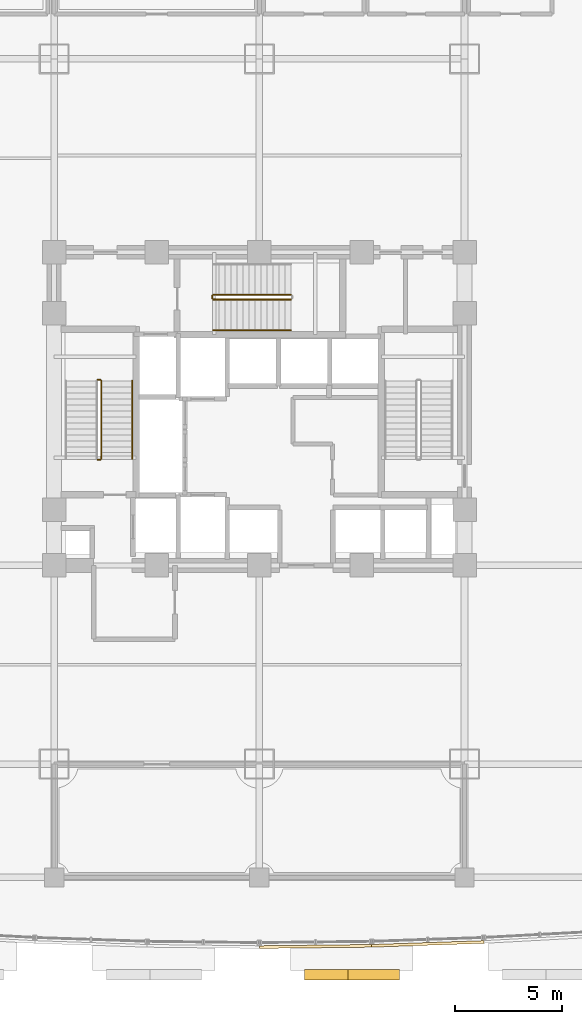
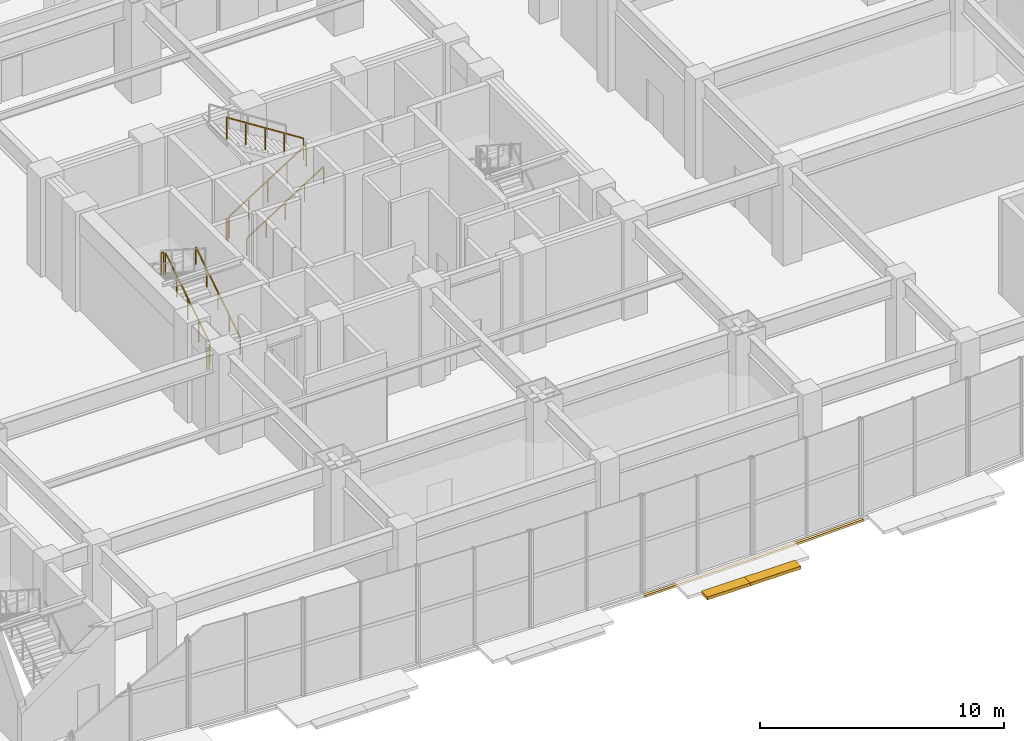
# One storey, part 18 of 24: 8 railings, 2 coverings, 2 shading devices.
"""IFC4 building model written with IfcOpenShell, lengths in metres."""

from ifc_helpers import new_model, si_unit, direction, frame, origin, origin_2d, place, context, subcontext, project, spatial, polyline, rectangle, outline, extrude, material, layer, layer_set, type_object, element, save


model = new_model("IFC4")

# Units and contexts
model_context = context("Model", 3, precision=1e-05, world=origin(), true_north=direction((0.0, 1.0)))
body_context = subcontext(model_context, "Body", "Model", "MODEL_VIEW")
ifc_project = project(units=[si_unit("LENGTHUNIT", "METRE"), si_unit("AREAUNIT", "SQUARE_METRE"), si_unit("VOLUMEUNIT", "CUBIC_METRE"), si_unit("PLANEANGLEUNIT", "RADIAN"), si_unit("MASSUNIT", "GRAM", prefix="KILO")], contexts=[model_context])

# Site, building, storey
site_placement = place(None, origin())
site = spatial("IfcSite", under=ifc_project, at=site_placement, CompositionType="ELEMENT")
building_placement = place(site_placement, origin())
building = spatial("IfcBuilding", under=site, at=building_placement, Name="Vantalir Tower", CompositionType="ELEMENT")
storey_placement = place(building_placement, frame((0.0, 0.0, 6.0)))
storey = spatial("IfcBuildingStorey", under=building, at=storey_placement, Name="L01", CompositionType="ELEMENT", Elevation=6.0)

# Coverings
ifc_material_1 = material(Name="Anodised champagne aluminium sill fascia", Category="aluminium")
ifc_layer_1 = layer(ifc_material_1, 0.125)
ifc_layer_set_1 = layer_set([ifc_layer_1], Name="Anodised champagne aluminium sill fascia")
covering_type = type_object("IfcCoveringType", Name="COV-SLAB-FASCIA-125", PredefinedType="CLADDING", material=ifc_layer_set_1)
covering_1_placement = place(storey_placement, frame((0.0, 0.0, -0.179931640625)))
element("IfcCovering", 1, at=covering_1_placement, inside=storey, type_object=covering_type, Name="Level 01 South Prow Slab-Edge Fascia 07", PredefinedType="CLADDING", context=body_context, shape_type="SweptSolid", body=[
    extrude(outline(polyline([(31.5, 0.0), (31.5009765625, -0.125), (36.7509765625, -0.06396484375), (36.75, 0.06103515625), (31.5, 0.0)])), origin(), (0.0, 0.0, 1.0), 0.10498046875),
])
covering_2_placement = place(storey_placement, frame((0.0, 0.0, -0.179931640625)))
element("IfcCovering", 2, at=covering_2_placement, inside=storey, type_object=covering_type, Name="Level 01 South Prow Slab-Edge Fascia 08", PredefinedType="CLADDING", context=body_context, shape_type="SweptSolid", body=[
    extrude(outline(polyline([(36.75, 0.06103515625), (36.75390625, -0.06396484375), (42.00390625, 0.115966796875), (42.0, 0.240966796875), (36.75, 0.06103515625)])), origin(), (0.0, 0.0, 1.0), 0.10498046875),
])

# Railings
ifc_material_2 = material(Name="Anodised aluminium and stainless steel guard", Category="steel")
railing_type_1 = type_object("IfcRailingType", Name="RAL-GUARD-1120", PredefinedType="GUARDRAIL", material=ifc_material_2)
railing_1_placement = place(storey_placement, frame((24.110107421875, 22.7900390625, 0.178466796875)))
element("IfcRailing", 3, at=railing_1_placement, inside=storey, type_object=railing_type_1, Name="Level 01 ST1 stair guard 1", PredefinedType="GUARDRAIL", context=body_context, shape_type="SweptSolid", body=[
    extrude(rectangle(XDim=0.048095703125, YDim=0.048095703125, at=origin_2d()), frame((0.0, 0.0, 1.09619140625), z_axis=(0.0, 0.843111507901, 0.53773877045), x_axis=(-1.0, 0.0, 0.0)), (0.0, 0.0, 1.0), 4.317138671875),
    extrude(rectangle(XDim=0.0419921875, YDim=0.0419921875, at=origin_2d()), origin(), (0.0, 0.0, 1.0), 1.072021484375),
    extrude(rectangle(XDim=0.0419921875, YDim=0.0419921875, at=origin_2d()), frame((0.0, 0.909912109375, 0.580322265625)), (0.0, 0.0, 1.0), 1.072021484375),
    extrude(rectangle(XDim=0.0419921875, YDim=0.0419921875, at=origin_2d()), frame((0.0, 1.81982421875, 1.16064453125)), (0.0, 0.0, 1.0), 1.072021484375),
    extrude(rectangle(XDim=0.0419921875, YDim=0.0419921875, at=origin_2d()), frame((0.0, 2.72998046875, 1.7412109375)), (0.0, 0.0, 1.0), 1.072021484375),
    extrude(rectangle(XDim=0.0419921875, YDim=0.0419921875, at=origin_2d()), frame((0.0, 3.639892578125, 2.321533203125)), (0.0, 0.0, 1.0), 1.072021484375),
])
for number, where, name in (
    (4, (24.06005859375, 26.47998046875, 2.5), "Level 01 ST1 stair guard 2"),
    (5, (24.06005859375, 22.739990234375, 0.0), "Level 01 ST1 stair guard 4"),
):
    element("IfcRailing", number, at=place(storey_placement, frame(where)), inside=storey, type_object=railing_type_1, Name=name, PredefinedType="GUARDRAIL", context=body_context, shape_type="SweptSolid", body=[
        extrude(rectangle(XDim=0.048095703125, YDim=0.048095703125, at=origin_2d()), frame((0.0, 0.0, 1.09619140625), z_axis=(-1.0, 0.0, 0.0), x_axis=(0.0, -1.0, 0.0)), (0.0, 0.0, 1.0), 0.1201171875),
        extrude(rectangle(XDim=0.0419921875, YDim=0.0419921875, at=origin_2d()), origin(), (0.0, 0.0, 1.0), 1.072021484375),
        extrude(rectangle(XDim=0.0419921875, YDim=0.0419921875, at=origin_2d()), frame((-0.1201171875, 0.0, 0.0)), (0.0, 0.0, 1.0), 1.072021484375),
    ])
railing_2_placement = place(storey_placement, frame((29.340087890625, 30.239990234375, 0.178466796875)))
element("IfcRailing", 6, at=railing_2_placement, inside=storey, type_object=railing_type_1, Name="Level 01 ST3 stair guard 1", PredefinedType="GUARDRAIL", context=body_context, shape_type="SweptSolid", body=[
    extrude(rectangle(XDim=0.048095703125, YDim=0.048095703125, at=origin_2d()), frame((0.0, 0.0, 1.09619140625), z_axis=(0.843111507901, 0.0, 0.53773877045), x_axis=(0.0, 1.0, 0.0)), (0.0, 0.0, 1.0), 4.317138671875),
    extrude(rectangle(XDim=0.0419921875, YDim=0.0419921875, at=origin_2d()), origin(), (0.0, 0.0, 1.0), 1.072021484375),
    extrude(rectangle(XDim=0.0419921875, YDim=0.0419921875, at=origin_2d()), frame((0.909912109375, 0.0, 0.580322265625)), (0.0, 0.0, 1.0), 1.072021484375),
    extrude(rectangle(XDim=0.0419921875, YDim=0.0419921875, at=origin_2d()), frame((1.81982421875, 0.0, 1.16064453125)), (0.0, 0.0, 1.0), 1.072021484375),
    extrude(rectangle(XDim=0.0419921875, YDim=0.0419921875, at=origin_2d()), frame((2.72998046875, 0.0, 1.7412109375)), (0.0, 0.0, 1.0), 1.072021484375),
    extrude(rectangle(XDim=0.0419921875, YDim=0.0419921875, at=origin_2d()), frame((3.639892578125, 0.0, 2.321533203125)), (0.0, 0.0, 1.0), 1.072021484375),
])
railing_3_placement = place(storey_placement, frame((32.97998046875, 30.4599609375, 2.678466796875)))
element("IfcRailing", 7, at=railing_3_placement, inside=storey, type_object=railing_type_1, Name="Level 01 ST3 stair guard 3", PredefinedType="GUARDRAIL", context=body_context, shape_type="SweptSolid", body=[
    extrude(rectangle(XDim=0.048095703125, YDim=0.048095703125, at=origin_2d()), frame((0.0, 0.0, 1.09619140625), z_axis=(-0.843111507901, 0.0, 0.53773877045), x_axis=(0.0, -1.0, 0.0)), (0.0, 0.0, 1.0), 4.317138671875),
    extrude(rectangle(XDim=0.0419921875, YDim=0.0419921875, at=origin_2d()), origin(), (0.0, 0.0, 1.0), 1.072021484375),
    extrude(rectangle(XDim=0.0419921875, YDim=0.0419921875, at=origin_2d()), frame((-0.909912109375, 0.0, 0.580322265625)), (0.0, 0.0, 1.0), 1.072021484375),
    extrude(rectangle(XDim=0.0419921875, YDim=0.0419921875, at=origin_2d()), frame((-1.81982421875, 0.0, 1.16064453125)), (0.0, 0.0, 1.0), 1.072021484375),
    extrude(rectangle(XDim=0.0419921875, YDim=0.0419921875, at=origin_2d()), frame((-2.72998046875, 0.0, 1.7412109375)), (0.0, 0.0, 1.0), 1.072021484375),
    extrude(rectangle(XDim=0.0419921875, YDim=0.0419921875, at=origin_2d()), frame((-3.639892578125, 0.0, 2.321533203125)), (0.0, 0.0, 1.0), 1.072021484375),
])
railing_4_placement = place(storey_placement, frame((29.2900390625, 30.2900390625, 0.0)))
element("IfcRailing", 8, at=railing_4_placement, inside=storey, type_object=railing_type_1, Name="Level 01 ST3 stair guard 4", PredefinedType="GUARDRAIL", context=body_context, shape_type="SweptSolid", body=[
    extrude(rectangle(XDim=0.048095703125, YDim=0.048095703125, at=origin_2d()), frame((0.0, 0.0, 1.09619140625), z_axis=(0.0, 1.0, 0.0), x_axis=(-1.0, 0.0, 0.0)), (0.0, 0.0, 1.0), 0.119873046875),
    extrude(rectangle(XDim=0.0419921875, YDim=0.0419921875, at=origin_2d()), origin(), (0.0, 0.0, 1.0), 1.072021484375),
    extrude(rectangle(XDim=0.0419921875, YDim=0.0419921875, at=origin_2d()), frame((0.0, 0.119873046875, 0.0)), (0.0, 0.0, 1.0), 1.072021484375),
])
ifc_material_3 = material(Name="Brushed stainless steel tubular handrail", Category="steel")
railing_type_2 = type_object("IfcRailingType", Name="RAL-HANDRAIL-900", PredefinedType="HANDRAIL", material=ifc_material_3)
railing_5_placement = place(storey_placement, frame((25.550048828125, 22.7900390625, 0.178466796875)))
element("IfcRailing", 9, at=railing_5_placement, inside=storey, type_object=railing_type_2, Name="Level 01 ST1 stair handrail 1", PredefinedType="HANDRAIL", context=body_context, shape_type="SweptSolid", body=[
    extrude(rectangle(XDim=0.048095703125, YDim=0.048095703125, at=origin_2d()), frame((0.0, 0.0, 0.8759765625), z_axis=(0.0, 0.843111507901, 0.53773877045), x_axis=(-1.0, 0.0, 0.0)), (0.0, 0.0, 1.0), 4.317138671875),
    extrude(rectangle(XDim=0.0419921875, YDim=0.0419921875, at=origin_2d()), origin(), (0.0, 0.0, 1.0), 0.851806640625),
    extrude(rectangle(XDim=0.0419921875, YDim=0.0419921875, at=origin_2d()), frame((0.0, 0.909912109375, 0.580322265625)), (0.0, 0.0, 1.0), 0.851806640625),
    extrude(rectangle(XDim=0.0419921875, YDim=0.0419921875, at=origin_2d()), frame((0.0, 1.81982421875, 1.16064453125)), (0.0, 0.0, 1.0), 0.851806640625),
    extrude(rectangle(XDim=0.0419921875, YDim=0.0419921875, at=origin_2d()), frame((0.0, 2.72998046875, 1.7412109375)), (0.0, 0.0, 1.0), 0.851806640625),
    extrude(rectangle(XDim=0.0419921875, YDim=0.0419921875, at=origin_2d()), frame((0.0, 3.639892578125, 2.321533203125)), (0.0, 0.0, 1.0), 0.851806640625),
])
railing_6_placement = place(storey_placement, frame((29.340087890625, 28.800048828125, 0.178466796875)))
element("IfcRailing", 10, at=railing_6_placement, inside=storey, type_object=railing_type_2, Name="Level 01 ST3 stair handrail 1", PredefinedType="HANDRAIL", context=body_context, shape_type="SweptSolid", body=[
    extrude(rectangle(XDim=0.048095703125, YDim=0.048095703125, at=origin_2d()), frame((0.0, 0.0, 0.8759765625), z_axis=(0.843111507901, 0.0, 0.53773877045), x_axis=(0.0, 1.0, 0.0)), (0.0, 0.0, 1.0), 4.317138671875),
    extrude(rectangle(XDim=0.0419921875, YDim=0.0419921875, at=origin_2d()), origin(), (0.0, 0.0, 1.0), 0.851806640625),
    extrude(rectangle(XDim=0.0419921875, YDim=0.0419921875, at=origin_2d()), frame((0.909912109375, 0.0, 0.580322265625)), (0.0, 0.0, 1.0), 0.851806640625),
    extrude(rectangle(XDim=0.0419921875, YDim=0.0419921875, at=origin_2d()), frame((1.81982421875, 0.0, 1.16064453125)), (0.0, 0.0, 1.0), 0.851806640625),
    extrude(rectangle(XDim=0.0419921875, YDim=0.0419921875, at=origin_2d()), frame((2.72998046875, 0.0, 1.7412109375)), (0.0, 0.0, 1.0), 0.851806640625),
    extrude(rectangle(XDim=0.0419921875, YDim=0.0419921875, at=origin_2d()), frame((3.639892578125, 0.0, 2.321533203125)), (0.0, 0.0, 1.0), 0.851806640625),
])

# Shading devices
ifc_material_4 = material(Name="Champagne-silver PVDF aluminium SUNSHADE blade", Category="aluminium")
ifc_layer_2 = layer(ifc_material_4, 0.89990234375)
ifc_layer_set_2 = layer_set([ifc_layer_2], Name="Champagne-silver PVDF aluminium SUNSHADE blade")
shading_device_type = type_object("IfcShadingDeviceType", Name="SHD-TROPICAL-SUNSHADE", PredefinedType="AWNING", material=ifc_layer_set_2)
for number, where, z_axis, x_axis, name in (
    (11, (34.81396484375, -1.35009765625, -0.14990234375), (0.0, 0.0, 1.0), (1.0, 0.0, 0.0), "Level 01 Waterfront Horizontal SUNSHADE 04A"),
    (12, (36.85302734375, -1.35009765625, -0.14990234375), (0.0, 0.0, 1.0), (1.0, 0.0, 0.0), "Level 01 Waterfront Horizontal SUNSHADE 04B"),
):
    element("IfcShadingDevice", number, at=place(storey_placement, frame(where, z_axis=z_axis, x_axis=x_axis)), inside=storey, type_object=shading_device_type, Name=name, PredefinedType="AWNING", context=body_context, shape_type="SweptSolid", body=[
        extrude(rectangle(XDim=2.39990234375, YDim=0.5, at=origin_2d()), origin(), (0.0, 0.0, 1.0), 0.14990234375),
    ])

save(model, "model.ifc")
